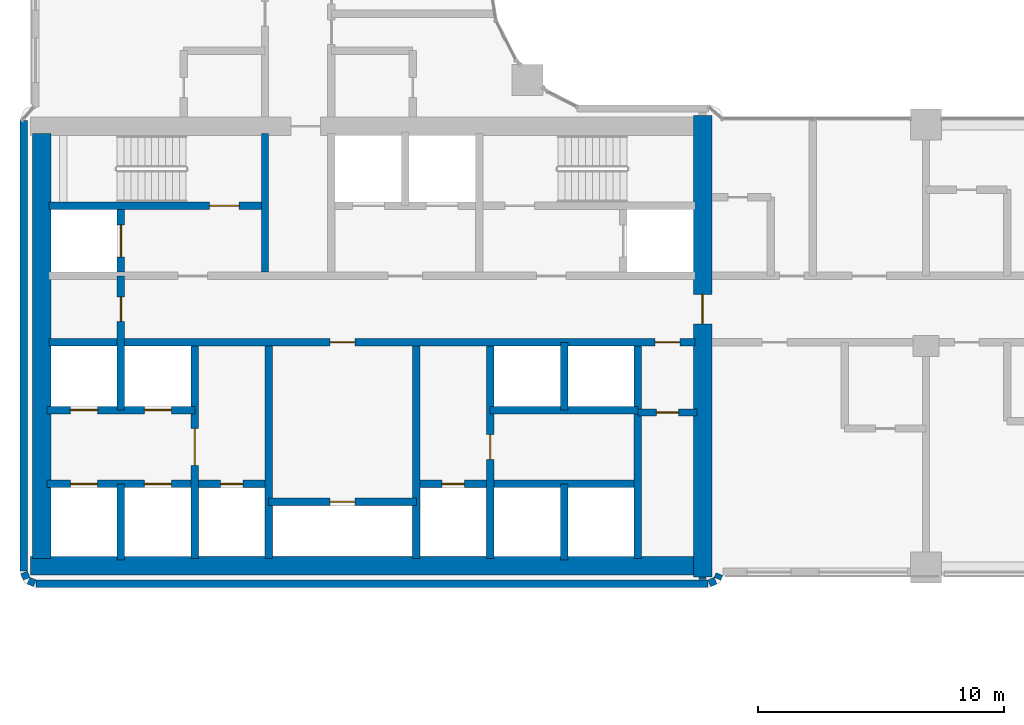
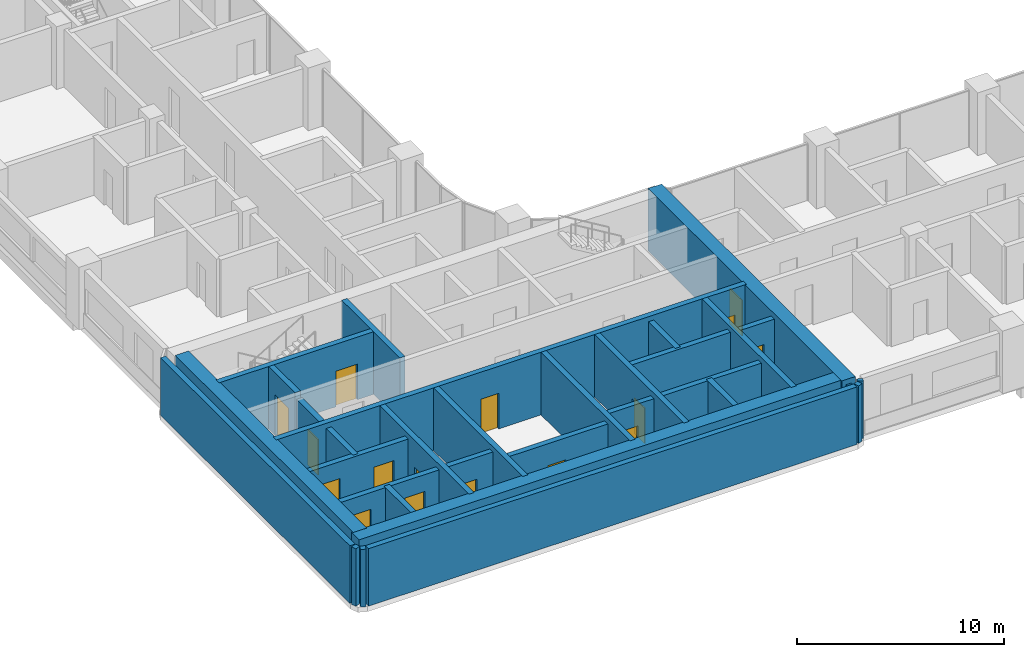
# One storey, part 18 of 33: 29 walls, 16 doors, 16 openings.
"""IFC4 building model written with IfcOpenShell, lengths in metres."""

from ifc_helpers import new_model, si_unit, direction, frame, frame_2d, origin, place, context, subcontext, project, spatial, rectangle, extrude, material, layer, layer_set, type_object, element, fill, save


model = new_model("IFC4")

# Units and contexts
model_context = context("Model", 3, precision=1e-05, world=origin(), true_north=direction((0.0, 1.0)))
body_context = subcontext(model_context, "Body", "Model", "MODEL_VIEW")
ifc_project = project(units=[si_unit("LENGTHUNIT", "METRE"), si_unit("AREAUNIT", "SQUARE_METRE"), si_unit("VOLUMEUNIT", "CUBIC_METRE"), si_unit("PLANEANGLEUNIT", "RADIAN"), si_unit("MASSUNIT", "GRAM", prefix="KILO")], contexts=[model_context])

# Site, building, storey
site_placement = place(None, origin())
site = spatial("IfcSite", under=ifc_project, at=site_placement, CompositionType="ELEMENT")
building_placement = place(site_placement, origin())
building = spatial("IfcBuilding", under=site, at=building_placement, Name="Ogive Portal Towers", CompositionType="ELEMENT")
storey_placement = place(building_placement, frame((0.0, 0.0, 101.89990234375)))
storey = spatial("IfcBuildingStorey", under=building, at=storey_placement, Name="L24", CompositionType="ELEMENT", Elevation=101.89990234375)

# Wall, opening, door
ifc_material_1 = material(Name="Concrete C60/75", Category="concrete")
ifc_layer_1 = layer(ifc_material_1, 0.300048828125)
ifc_layer_set_1 = layer_set([ifc_layer_1], Name="CORE WALL 300 C60")
wall_type_1 = type_object("IfcWallType", Name="CORE WALL 300 C60", PredefinedType="SHEAR", material=ifc_layer_set_1)
wall_1_placement = place(storey_placement, frame((37.800048828125, 21.875, 0.0), z_axis=(0.0, 0.0, 1.0), x_axis=(0.0, 1.0, 0.0)))
wall_1 = element("IfcWall", 1, at=wall_1_placement, inside=storey, type_object=wall_type_1, Name="Core wall X1 L24", PredefinedType="SHEAR", context=body_context, shape_type="SweptSolid", body=[
    extrude(rectangle(XDim=8.625, YDim=0.300048828125, at=frame_2d((4.3125, 0.0))), origin(), (0.0, 0.0, 1.0), 3.7001953125),
])
opening_1_placement = place(wall_1_placement, frame((3.77490234375, 0.0, 0.0)))
opening_1 = element("IfcOpeningElement", 2, at=opening_1_placement, cuts=wall_1, Name="Opening D08-001", PredefinedType="OPENING", context=body_context, shape_type="SweptSolid", body=[
    extrude(rectangle(XDim=1.5, YDim=2.10009765625, at=frame_2d((0.75, 1.050048828125))), frame((0.0, 0.16015625, 0.0), z_axis=(0.0, -1.0, 0.0), x_axis=(1.0, 0.0, 0.0)), (0.0, 0.0, 1.0), 0.320068359375),
])
ifc_material_2 = material(Name="Steel fire door", Category="steel")
door_type_1 = type_object("IfcDoorType", Name="DT-SWING-1500x2100-FD90S", OperationType="SINGLE_SWING_LEFT", PredefinedType="DOOR", material=ifc_material_2)
door_1_placement = place(opening_1_placement, origin())
door_1 = element("IfcDoor", 3, at=door_1_placement, inside=storey, type_object=door_type_1, Name="Door D08-001", OperationType="SINGLE_SWING_LEFT", OverallHeight=2.10009765625, OverallWidth=1.5, PredefinedType="DOOR", context=body_context, shape_type="SweptSolid", body=[
    extrude(rectangle(XDim=1.5, YDim=2.10009765625, at=frame_2d((0.75, 1.050048828125))), frame((0.0, 0.02490234375, 0.0), z_axis=(0.0, -1.0, 0.0), x_axis=(1.0, 0.0, 0.0)), (0.0, 0.0, 1.0), 0.050048828125),
])
fill(opening_1, door_1)

# Walls
for number, where, z_axis, x_axis, name in (
    (4, (40.800048828125, 21.875, 0.0), (0.0, 0.0, 1.0), (0.0, 1.0, 0.0), "Core wall X2 L24"),
    (5, (46.800048828125, 21.875, 0.0), (0.0, 0.0, 1.0), (0.0, 1.0, 0.0), "Core wall X3 L24"),
):
    element("IfcWall", number, at=place(storey_placement, frame(where, z_axis=z_axis, x_axis=x_axis)), inside=storey, type_object=wall_type_1, Name=name, PredefinedType="SHEAR", context=body_context, shape_type="SweptSolid", body=[
        extrude(rectangle(XDim=8.625, YDim=0.300048828125, at=frame_2d((4.3125, 0.0))), origin(), (0.0, 0.0, 1.0), 3.7001953125),
    ])

# Wall, opening, door
wall_2_placement = place(storey_placement, frame((49.800048828125, 21.875, 0.0), z_axis=(0.0, 0.0, 1.0), x_axis=(0.0, 1.0, 0.0)))
wall_2 = element("IfcWall", 6, at=wall_2_placement, inside=storey, type_object=wall_type_1, Name="Core wall X4 L24", PredefinedType="SHEAR", context=body_context, shape_type="SweptSolid", body=[
    extrude(rectangle(XDim=8.625, YDim=0.300048828125, at=frame_2d((4.3125, 0.0))), origin(), (0.0, 0.0, 1.0), 3.7001953125),
])
opening_2_placement = place(wall_2_placement, frame((4.02490234375, 0.0, 0.0)))
opening_2 = element("IfcOpeningElement", 7, at=opening_2_placement, cuts=wall_2, Name="Opening D08-023", PredefinedType="OPENING", context=body_context, shape_type="SweptSolid", body=[
    extrude(rectangle(XDim=1.0, YDim=2.10009765625, at=frame_2d((0.5, 1.050048828125))), frame((0.0, 0.16015625, 0.0), z_axis=(0.0, -1.0, 0.0), x_axis=(1.0, 0.0, 0.0)), (0.0, 0.0, 1.0), 0.320068359375),
])
door_type_2 = type_object("IfcDoorType", Name="DT-SWING-1000x2100-FD90S", OperationType="SINGLE_SWING_LEFT", PredefinedType="DOOR", material=ifc_material_2)
door_2_placement = place(opening_2_placement, origin())
door_2 = element("IfcDoor", 8, at=door_2_placement, inside=storey, type_object=door_type_2, Name="Door D08-023", OperationType="SINGLE_SWING_LEFT", OverallHeight=2.10009765625, OverallWidth=1.0, PredefinedType="DOOR", context=body_context, shape_type="SweptSolid", body=[
    extrude(rectangle(XDim=1.0, YDim=2.10009765625, at=frame_2d((0.5, 1.050048828125))), frame((0.0, 0.02490234375, 0.0), z_axis=(0.0, -1.0, 0.0), x_axis=(1.0, 0.0, 0.0)), (0.0, 0.0, 1.0), 0.050048828125),
])
fill(opening_2, door_2)

# Wall
wall_3_placement = place(storey_placement, frame((55.800048828125, 21.875, 0.0), z_axis=(0.0, 0.0, 1.0), x_axis=(0.0, 1.0, 0.0)))
element("IfcWall", 9, at=wall_3_placement, inside=storey, type_object=wall_type_1, Name="Core wall X5 L24", PredefinedType="SHEAR", context=body_context, shape_type="SweptSolid", body=[
    extrude(rectangle(XDim=8.625, YDim=0.300048828125, at=frame_2d((4.3125, 0.0))), origin(), (0.0, 0.0, 1.0), 3.7001953125),
])

# Wall, openings, doors
wall_4_placement = place(storey_placement, frame((31.875, 30.64990234375, 0.0), z_axis=(0.0, 0.0, 1.0), x_axis=(1.0, 0.0, 0.0)))
wall_4 = element("IfcWall", 10, at=wall_4_placement, inside=storey, type_object=wall_type_1, Name="Core wall Y1 L24", PredefinedType="SHEAR", context=body_context, shape_type="SweptSolid", body=[
    extrude(rectangle(XDim=26.25, YDim=0.300048828125, at=frame_2d((13.125, 0.0))), origin(), (0.0, 0.0, 1.0), 3.7001953125),
])
opening_3_placement = place(wall_4_placement, frame((24.625, 0.0, 0.0)))
opening_3 = element("IfcOpeningElement", 11, at=opening_3_placement, cuts=wall_4, Name="Opening D08-009", PredefinedType="OPENING", context=body_context, shape_type="SweptSolid", body=[
    extrude(rectangle(XDim=1.0, YDim=2.10009765625, at=frame_2d((0.5, 1.050048828125))), frame((0.0, 0.16015625, 0.0), z_axis=(0.0, -1.0, 0.0), x_axis=(1.0, 0.0, 0.0)), (0.0, 0.0, 1.0), 0.320068359375),
])
opening_4_placement = place(wall_4_placement, frame((11.425048828125, 0.0, 0.0)))
opening_4 = element("IfcOpeningElement", 12, at=opening_4_placement, cuts=wall_4, Name="Opening D08-021", PredefinedType="OPENING", context=body_context, shape_type="SweptSolid", body=[
    extrude(rectangle(XDim=1.0, YDim=2.10009765625, at=frame_2d((0.5, 1.050048828125))), frame((0.0, 0.16015625, 0.0), z_axis=(0.0, -1.0, 0.0), x_axis=(1.0, 0.0, 0.0)), (0.0, 0.0, 1.0), 0.320068359375),
])
door_3_placement = place(opening_3_placement, origin())
door_3 = element("IfcDoor", 13, at=door_3_placement, inside=storey, type_object=door_type_2, Name="Door D08-009", OperationType="SINGLE_SWING_LEFT", OverallHeight=2.10009765625, OverallWidth=1.0, PredefinedType="DOOR", context=body_context, shape_type="SweptSolid", body=[
    extrude(rectangle(XDim=1.0, YDim=2.10009765625, at=frame_2d((0.5, 1.050048828125))), frame((0.0, 0.02490234375, 0.0), z_axis=(0.0, -1.0, 0.0), x_axis=(1.0, 0.0, 0.0)), (0.0, 0.0, 1.0), 0.050048828125),
])
fill(opening_3, door_3)
door_4_placement = place(opening_4_placement, origin())
door_4 = element("IfcDoor", 14, at=door_4_placement, inside=storey, type_object=door_type_2, Name="Door D08-021", OperationType="SINGLE_SWING_LEFT", OverallHeight=2.10009765625, OverallWidth=1.0, PredefinedType="DOOR", context=body_context, shape_type="SweptSolid", body=[
    extrude(rectangle(XDim=1.0, YDim=2.10009765625, at=frame_2d((0.5, 1.050048828125))), frame((0.0, 0.02490234375, 0.0), z_axis=(0.0, -1.0, 0.0), x_axis=(1.0, 0.0, 0.0)), (0.0, 0.0, 1.0), 0.050048828125),
])
fill(opening_4, door_4)

# Wall, opening, door
wall_5_placement = place(storey_placement, frame((31.875, 36.199951171875, 0.0), z_axis=(0.0, 0.0, 1.0), x_axis=(1.0, 0.0, 0.0)))
wall_5 = element("IfcWall", 15, at=wall_5_placement, inside=storey, type_object=wall_type_1, Name="Core wall Y3a L24", PredefinedType="SHEAR", context=body_context, shape_type="SweptSolid", body=[
    extrude(rectangle(XDim=8.625, YDim=0.300048828125, at=frame_2d((4.3125, 0.0))), origin(), (0.0, 0.0, 1.0), 3.7001953125),
])
opening_5_placement = place(wall_5_placement, frame((6.52490234375, 0.0, 0.0)))
opening_5 = element("IfcOpeningElement", 16, at=opening_5_placement, cuts=wall_5, Name="Opening D08-005", PredefinedType="OPENING", context=body_context, shape_type="SweptSolid", body=[
    extrude(rectangle(XDim=1.199951171875, YDim=2.10009765625, at=frame_2d((0.60009765625, 1.050048828125))), frame((0.0, 0.16015625, 0.0), z_axis=(0.0, -1.0, 0.0), x_axis=(1.0, 0.0, 0.0)), (0.0, 0.0, 1.0), 0.320068359375),
])
door_type_3 = type_object("IfcDoorType", Name="DT-SWING-1200x2100-FD90S", OperationType="SINGLE_SWING_LEFT", PredefinedType="DOOR", material=ifc_material_2)
door_5_placement = place(opening_5_placement, origin())
door_5 = element("IfcDoor", 17, at=door_5_placement, inside=storey, type_object=door_type_3, Name="Door D08-005", OperationType="SINGLE_SWING_RIGHT", OverallHeight=2.10009765625, OverallWidth=1.199951171875, PredefinedType="DOOR", context=body_context, shape_type="SweptSolid", body=[
    extrude(rectangle(XDim=1.199951171875, YDim=2.10009765625, at=frame_2d((0.60009765625, 1.050048828125))), frame((0.0, 0.02490234375, 0.0), z_axis=(0.0, -1.0, 0.0), x_axis=(1.0, 0.0, 0.0)), (0.0, 0.0, 1.0), 0.050048828125),
])
fill(opening_5, door_5)

# Wall
wall_6_placement = place(storey_placement, frame((40.64990234375, 33.5, 0.0), z_axis=(0.0, 0.0, 1.0), x_axis=(0.0, 1.0, 0.0)))
element("IfcWall", 18, at=wall_6_placement, inside=storey, type_object=wall_type_1, Name="Core wall X6 L24", PredefinedType="SHEAR", context=body_context, shape_type="SweptSolid", body=[
    extrude(rectangle(XDim=5.625, YDim=0.300048828125, at=frame_2d((2.8125, 0.0))), origin(), (0.0, 0.0, 1.0), 3.7001953125),
])

# Wall, opening, door
wall_7_placement = place(storey_placement, frame((34.800048828125, 33.5, 0.0), z_axis=(0.0, 0.0, 1.0), x_axis=(0.0, 1.0, 0.0)))
wall_7 = element("IfcWall", 19, at=wall_7_placement, inside=storey, type_object=wall_type_1, Name="Core wall X8 L24", PredefinedType="SHEAR", context=body_context, shape_type="SweptSolid", body=[
    extrude(rectangle(XDim=2.550048828125, YDim=0.300048828125, at=frame_2d((1.27490234375, 0.0))), origin(), (0.0, 0.0, 1.0), 3.7001953125),
])
opening_6_placement = place(wall_7_placement, frame((0.625, 0.0, 0.0)))
opening_6 = element("IfcOpeningElement", 20, at=opening_6_placement, cuts=wall_7, Name="Opening D08-019", PredefinedType="OPENING", context=body_context, shape_type="SweptSolid", body=[
    extrude(rectangle(XDim=1.300048828125, YDim=2.39990234375, at=frame_2d((0.64990234375, 1.199951171875))), frame((0.0, 0.16015625, 0.0), z_axis=(0.0, -1.0, 0.0), x_axis=(1.0, 0.0, 0.0)), (0.0, 0.0, 1.0), 0.320068359375),
])
ifc_material_3 = material(Name="Stainless steel", Category="steel")
door_type_4 = type_object("IfcDoorType", Name="DT-LD-1300x2400", OperationType="SLIDING_TO_LEFT", PredefinedType="DOOR", material=ifc_material_3)
door_6_placement = place(opening_6_placement, origin())
door_6 = element("IfcDoor", 21, at=door_6_placement, inside=storey, type_object=door_type_4, Name="Door D08-019", OperationType="SLIDING_TO_LEFT", OverallHeight=2.39990234375, OverallWidth=1.300048828125, PredefinedType="DOOR", context=body_context, shape_type="SweptSolid", body=[
    extrude(rectangle(XDim=1.300048828125, YDim=2.39990234375, at=frame_2d((0.64990234375, 1.199951171875))), frame((0.0, 0.02490234375, 0.0), z_axis=(0.0, -1.0, 0.0), x_axis=(1.0, 0.0, 0.0)), (0.0, 0.0, 1.0), 0.050048828125),
])
fill(opening_6, door_6)

# Walls
ifc_layer_2 = layer(ifc_material_1, 0.75)
ifc_layer_set_2 = layer_set([ifc_layer_2], Name="CORE WALL 750 C60")
wall_type_2 = type_object("IfcWallType", Name="CORE WALL 750 C60", PredefinedType="SHEAR", material=ifc_layer_set_2)
wall_8_placement = place(storey_placement, frame((31.574951171875, 21.875, 0.0), z_axis=(0.0, 0.0, 1.0), x_axis=(0.0, 1.0, 0.0)))
element("IfcWall", 22, at=wall_8_placement, inside=storey, type_object=wall_type_2, Name="Core wall W L24", PredefinedType="SHEAR", context=body_context, shape_type="SweptSolid", body=[
    extrude(rectangle(XDim=17.25, YDim=0.75, at=frame_2d((8.625, 0.0))), origin(), (0.0, 0.0, 1.0), 3.7001953125),
])
wall_9_placement = place(storey_placement, frame((31.125, 21.574951171875, 0.0), z_axis=(0.0, 0.0, 1.0), x_axis=(1.0, 0.0, 0.0)))
element("IfcWall", 23, at=wall_9_placement, inside=storey, type_object=wall_type_2, Name="Core wall S L24", PredefinedType="SHEAR", context=body_context, shape_type="SweptSolid", body=[
    extrude(rectangle(XDim=27.0, YDim=0.75, at=frame_2d((13.5, 0.0))), origin(), (0.0, 0.0, 1.0), 3.7001953125),
])

# Wall, opening, door
wall_10_placement = place(storey_placement, frame((58.425048828125, 21.125, 0.0), z_axis=(0.0, 0.0, 1.0), x_axis=(0.0, 1.0, 0.0)))
wall_10 = element("IfcWall", 24, at=wall_10_placement, inside=storey, type_object=wall_type_2, Name="Core wall E L24", PredefinedType="SHEAR", context=body_context, shape_type="SweptSolid", body=[
    extrude(rectangle(XDim=18.75, YDim=0.75, at=frame_2d((9.375, 0.0))), origin(), (0.0, 0.0, 1.0), 3.7001953125),
])
opening_7_placement = place(wall_10_placement, frame((10.27490234375, 0.0, 0.0)))
opening_7 = element("IfcOpeningElement", 25, at=opening_7_placement, cuts=wall_10, Name="Opening D08-011", PredefinedType="OPENING", context=body_context, shape_type="SweptSolid", body=[
    extrude(rectangle(XDim=1.199951171875, YDim=2.10009765625, at=frame_2d((0.60009765625, 1.050048828125))), frame((0.0, 0.385009765625, 0.0), z_axis=(0.0, -1.0, 0.0), x_axis=(1.0, 0.0, 0.0)), (0.0, 0.0, 1.0), 0.77001953125),
])
door_7_placement = place(opening_7_placement, origin())
door_7 = element("IfcDoor", 26, at=door_7_placement, inside=storey, type_object=door_type_3, Name="Door D08-011", OperationType="SINGLE_SWING_LEFT", OverallHeight=2.10009765625, OverallWidth=1.199951171875, PredefinedType="DOOR", context=body_context, shape_type="SweptSolid", body=[
    extrude(rectangle(XDim=1.199951171875, YDim=2.10009765625, at=frame_2d((0.60009765625, 1.050048828125))), frame((0.0, 0.02490234375, 0.0), z_axis=(0.0, -1.0, 0.0), x_axis=(1.0, 0.0, 0.0)), (0.0, 0.0, 1.0), 0.050048828125),
])
fill(opening_7, door_7)

# Walls
ifc_material_4 = material(Name="Limestone cladding on lightweight block wall", Category="masonry")
ifc_layer_3 = layer(ifc_material_4, 0.300048828125)
ifc_layer_set_3 = layer_set([ifc_layer_3], Name="EXTERNAL WALL 300 STONE")
wall_type_3 = type_object("IfcWallType", Name="EXTERNAL WALL 300 STONE", PredefinedType="SOLIDWALL", material=ifc_layer_set_3)
wall_11_placement = place(storey_placement, frame((30.85009765625, 39.669921875, 0.0), z_axis=(0.0, 0.0, 1.0), x_axis=(0.0, -1.0, 0.0)))
element("IfcWall", 27, at=wall_11_placement, inside=storey, type_object=wall_type_3, Name="A:L24:f14:r0:wall", PredefinedType="SOLIDWALL", context=body_context, shape_type="SweptSolid", body=[
    extrude(rectangle(XDim=18.310302734375, YDim=0.300048828125, at=frame_2d((9.1552734375, 0.0))), origin(), (0.0, 0.0, 1.0), 3.400146484375),
])
for number, where, z_axis, x_axis, name in (
    (28, (30.861328125, 21.30224609375, 0.0), (0.0, 0.0, 1.0), (0.38297812142, -0.923757413239, 0.0), "A:L24:f15:r0:wall"),
    (29, (31.0478515625, 20.966796875, 0.0), (0.0, 0.0, 1.0), (0.923757413239, -0.38297812142, 0.0), "A:L24:f16:r0:wall"),
):
    element("IfcWall", number, at=place(storey_placement, frame(where, z_axis=z_axis, x_axis=x_axis)), inside=storey, type_object=wall_type_3, Name=name, PredefinedType="SOLIDWALL", context=body_context, shape_type="SweptSolid", body=[
        extrude(rectangle(XDim=0.275390625, YDim=0.300048828125, at=frame_2d((0.1376953125, 0.0))), origin(), (0.0, 0.0, 1.0), 3.400146484375),
    ])
wall_12_placement = place(storey_placement, frame((31.359619140625, 20.85009765625, 0.0), z_axis=(0.0, 0.0, 1.0), x_axis=(1.0, 0.0, 0.0)))
element("IfcWall", 30, at=wall_12_placement, inside=storey, type_object=wall_type_3, Name="A:L24:f17:r0:wall", PredefinedType="SOLIDWALL", context=body_context, shape_type="SweptSolid", body=[
    extrude(rectangle(XDim=27.28076171875, YDim=0.300048828125, at=frame_2d((13.640380859375, 0.0))), origin(), (0.0, 0.0, 1.0), 3.400146484375),
])
wall_13_placement = place(storey_placement, frame((58.69775390625, 20.861328125, 0.0), z_axis=(0.0, 0.0, 1.0), x_axis=(0.923757413239, 0.38297812142, 0.0)))
element("IfcWall", 31, at=wall_13_placement, inside=storey, type_object=wall_type_3, Name="A:L24:f18:r0:wall", PredefinedType="SOLIDWALL", context=body_context, shape_type="SweptSolid", body=[
    extrude(rectangle(XDim=0.275390625, YDim=0.300048828125, at=frame_2d((0.1376953125, 0.0))), origin(), (0.0, 0.0, 1.0), 3.400146484375),
])
wall_14_placement = place(storey_placement, frame((59.033203125, 21.0478515625, 0.0), z_axis=(0.0, 0.0, 1.0), x_axis=(0.383262727373, 0.923639367831, 0.0)))
element("IfcWall", 32, at=wall_14_placement, inside=storey, type_object=wall_type_3, Name="A:L24:f19:r0:wall", PredefinedType="SOLIDWALL", context=body_context, shape_type="SweptSolid", body=[
    extrude(rectangle(XDim=0.205078125, YDim=0.300048828125, at=frame_2d((0.1025390625, 0.0))), origin(), (0.0, 0.0, 1.0), 3.400146484375),
])

# Wall, opening, door
ifc_material_5 = material(Name="Gypsum board partition on steel studs", Category="steel")
ifc_layer_4 = layer(ifc_material_5, 0.300048828125)
ifc_layer_set_4 = layer_set([ifc_layer_4], Name="WT-PART-300")
wall_type_4 = type_object("IfcWallType", Name="WT-PART-300", PredefinedType="PARTITIONING", material=ifc_layer_set_4)
wall_15_placement = place(storey_placement, frame((40.800048828125, 24.173095703125, 0.0), z_axis=(0.0, 0.0, 1.0), x_axis=(1.0, 0.0, 0.0)))
wall_15 = element("IfcWall", 33, at=wall_15_placement, inside=storey, type_object=wall_type_4, Name="Wall pw:001:L24", PredefinedType="PARTITIONING", context=body_context, shape_type="SweptSolid", body=[
    extrude(rectangle(XDim=6.0, YDim=0.300048828125, at=frame_2d((3.0, 0.0))), origin(), (0.0, 0.0, 1.0), 3.400146484375),
])
opening_8_placement = place(wall_15_placement, frame((2.5, 0.0, 0.0)))
opening_8 = element("IfcOpeningElement", 34, at=opening_8_placement, cuts=wall_15, Name="Opening D08-022", PredefinedType="OPENING", context=body_context, shape_type="SweptSolid", body=[
    extrude(rectangle(XDim=1.0, YDim=2.10009765625, at=frame_2d((0.5, 1.050048828125))), frame((0.0, 0.16015625, 0.0), z_axis=(0.0, -1.0, 0.0), x_axis=(1.0, 0.0, 0.0)), (0.0, 0.0, 1.0), 0.320068359375),
])
door_type_5 = type_object("IfcDoorType", Name="DT-SWING-1000x2100-FD60S", OperationType="SINGLE_SWING_LEFT", PredefinedType="DOOR", material=ifc_material_2)
door_8_placement = place(opening_8_placement, origin())
door_8 = element("IfcDoor", 35, at=door_8_placement, inside=storey, type_object=door_type_5, Name="Riser access door D08-022", OperationType="SINGLE_SWING_RIGHT", OverallHeight=2.10009765625, OverallWidth=1.0, PredefinedType="DOOR", context=body_context, shape_type="SweptSolid", body=[
    extrude(rectangle(XDim=1.0, YDim=2.10009765625, at=frame_2d((0.5, 1.050048828125))), frame((0.0, 0.02490234375, 0.0), z_axis=(0.0, -1.0, 0.0), x_axis=(1.0, 0.0, 0.0)), (0.0, 0.0, 1.0), 0.050048828125),
])
fill(opening_8, door_8)

wall_16_placement = place(storey_placement, frame((55.800048828125, 27.800048828125, 0.0), z_axis=(0.0, 0.0, 1.0), x_axis=(1.0, 0.0, 0.0)))
wall_16 = element("IfcWall", 36, at=wall_16_placement, inside=storey, type_object=wall_type_4, Name="Wall pw:004:L24", PredefinedType="PARTITIONING", context=body_context, shape_type="SweptSolid", body=[
    extrude(rectangle(XDim=2.39990234375, YDim=0.300048828125, at=frame_2d((1.199951171875, 0.0))), origin(), (0.0, 0.0, 1.0), 3.400146484375),
])
opening_9_placement = place(wall_16_placement, frame((0.75, 0.0, 0.0)))
opening_9 = element("IfcOpeningElement", 37, at=opening_9_placement, cuts=wall_16, Name="Opening D08-010", PredefinedType="OPENING", context=body_context, shape_type="SweptSolid", body=[
    extrude(rectangle(XDim=0.89990234375, YDim=2.10009765625, at=frame_2d((0.449951171875, 1.050048828125))), frame((0.0, 0.16015625, 0.0), z_axis=(0.0, -1.0, 0.0), x_axis=(1.0, 0.0, 0.0)), (0.0, 0.0, 1.0), 0.320068359375),
])
door_type_6 = type_object("IfcDoorType", Name="DT-SWING-900x2100-FD60S", OperationType="SINGLE_SWING_LEFT", PredefinedType="DOOR", material=ifc_material_2)
door_9_placement = place(opening_9_placement, origin())
door_9 = element("IfcDoor", 38, at=door_9_placement, inside=storey, type_object=door_type_6, Name="Door D08-010", OperationType="SINGLE_SWING_RIGHT", OverallHeight=2.10009765625, OverallWidth=0.89990234375, PredefinedType="DOOR", context=body_context, shape_type="SweptSolid", body=[
    extrude(rectangle(XDim=0.89990234375, YDim=2.10009765625, at=frame_2d((0.449951171875, 1.050048828125))), frame((0.0, 0.02490234375, 0.0), z_axis=(0.0, -1.0, 0.0), x_axis=(1.0, 0.0, 0.0)), (0.0, 0.0, 1.0), 0.050048828125),
])
fill(opening_9, door_9)

# Wall
ifc_layer_5 = layer(ifc_material_5, 0.300048828125)
ifc_layer_set_5 = layer_set([ifc_layer_5], Name="WT-PART-300-EI 120")
wall_type_5 = type_object("IfcWallType", Name="WT-PART-300-EI 120", PredefinedType="PARTITIONING", material=ifc_layer_set_5)
wall_17_placement = place(storey_placement, frame((58.425048828125, 21.125, 0.0), z_axis=(0.0, 0.0, 1.0), x_axis=(0.0, -1.0, 0.0)))
element("IfcWall", 39, at=wall_17_placement, inside=storey, type_object=wall_type_5, Name="Wall L24:wc01", PredefinedType="PARTITIONING", context=body_context, shape_type="SweptSolid", body=[
    extrude(rectangle(XDim=0.114990234375, YDim=0.300048828125, at=frame_2d((0.0576171875, 0.0))), origin(), (0.0, 0.0, 1.0), 3.400146484375),
])

# Wall, openings, doors
ifc_material_6 = material(Name="Concrete C40/50", Category="concrete")
ifc_layer_6 = layer(ifc_material_6, 0.300048828125)
ifc_layer_set_6 = layer_set([ifc_layer_6], Name="WT-SHAFT-300")
wall_type_6 = type_object("IfcWallType", Name="WT-SHAFT-300", PredefinedType="SOLIDWALL", material=ifc_layer_set_6)
wall_18_placement = place(storey_placement, frame((31.800048828125, 24.89990234375, 0.0), z_axis=(0.0, 0.0, 1.0), x_axis=(1.0, 0.0, 0.0)))
wall_18 = element("IfcWall", 40, at=wall_18_placement, inside=storey, type_object=wall_type_6, Name="Wall pw:002:L24", PredefinedType="SOLIDWALL", context=body_context, shape_type="SweptSolid", body=[
    extrude(rectangle(XDim=9.0, YDim=0.300048828125, at=frame_2d((4.5, 0.0))), origin(), (0.0, 0.0, 1.0), 3.400146484375),
])
opening_10_placement = place(wall_18_placement, frame((7.050048828125, 0.0, 0.0)))
opening_10 = element("IfcOpeningElement", 41, at=opening_10_placement, cuts=wall_18, Name="Opening D08-007", PredefinedType="OPENING", context=body_context, shape_type="SweptSolid", body=[
    extrude(rectangle(XDim=0.89990234375, YDim=2.10009765625, at=frame_2d((0.449951171875, 1.050048828125))), frame((0.0, 0.16015625, 0.0), z_axis=(0.0, -1.0, 0.0), x_axis=(1.0, 0.0, 0.0)), (0.0, 0.0, 1.0), 0.320068359375),
])
opening_11_placement = place(wall_18_placement, frame((0.949951171875, 0.0, 0.0)))
opening_11 = element("IfcOpeningElement", 42, at=opening_11_placement, cuts=wall_18, Name="Opening D08-013", PredefinedType="OPENING", context=body_context, shape_type="SweptSolid", body=[
    extrude(rectangle(XDim=1.10009765625, YDim=2.39990234375, at=frame_2d((0.550048828125, 1.199951171875))), frame((0.0, 0.16015625, 0.0), z_axis=(0.0, -1.0, 0.0), x_axis=(1.0, 0.0, 0.0)), (0.0, 0.0, 1.0), 0.320068359375),
])
opening_12_placement = place(wall_18_placement, frame((3.949951171875, 0.0, 0.0)))
opening_12 = element("IfcOpeningElement", 43, at=opening_12_placement, cuts=wall_18, Name="Opening D08-014", PredefinedType="OPENING", context=body_context, shape_type="SweptSolid", body=[
    extrude(rectangle(XDim=1.10009765625, YDim=2.39990234375, at=frame_2d((0.550048828125, 1.199951171875))), frame((0.0, 0.16015625, 0.0), z_axis=(0.0, -1.0, 0.0), x_axis=(1.0, 0.0, 0.0)), (0.0, 0.0, 1.0), 0.320068359375),
])
door_type_7 = type_object("IfcDoorType", Name="DT-LD-1100x2400", OperationType="SLIDING_TO_LEFT", PredefinedType="DOOR", material=ifc_material_3)
door_10_placement = place(opening_11_placement, origin())
door_10 = element("IfcDoor", 44, at=door_10_placement, inside=storey, type_object=door_type_7, Name="Door D08-013", OperationType="SLIDING_TO_LEFT", OverallHeight=2.39990234375, OverallWidth=1.10009765625, PredefinedType="DOOR", context=body_context, shape_type="SweptSolid", body=[
    extrude(rectangle(XDim=1.10009765625, YDim=2.39990234375, at=frame_2d((0.550048828125, 1.199951171875))), frame((0.0, 0.02490234375, 0.0), z_axis=(0.0, -1.0, 0.0), x_axis=(1.0, 0.0, 0.0)), (0.0, 0.0, 1.0), 0.050048828125),
])
fill(opening_11, door_10)
door_11_placement = place(opening_12_placement, origin())
door_11 = element("IfcDoor", 45, at=door_11_placement, inside=storey, type_object=door_type_7, Name="Door D08-014", OperationType="SLIDING_TO_LEFT", OverallHeight=2.39990234375, OverallWidth=1.10009765625, PredefinedType="DOOR", context=body_context, shape_type="SweptSolid", body=[
    extrude(rectangle(XDim=1.10009765625, YDim=2.39990234375, at=frame_2d((0.550048828125, 1.199951171875))), frame((0.0, 0.02490234375, 0.0), z_axis=(0.0, -1.0, 0.0), x_axis=(1.0, 0.0, 0.0)), (0.0, 0.0, 1.0), 0.050048828125),
])
fill(opening_12, door_11)
door_type_8 = type_object("IfcDoorType", Name="DT-SWING-900x2100-FD90S", OperationType="SINGLE_SWING_LEFT", PredefinedType="DOOR", material=ifc_material_2)
door_12_placement = place(opening_10_placement, origin())
door_12 = element("IfcDoor", 46, at=door_12_placement, inside=storey, type_object=door_type_8, Name="Riser access door D08-007", OperationType="SINGLE_SWING_LEFT", OverallHeight=2.10009765625, OverallWidth=0.89990234375, PredefinedType="DOOR", context=body_context, shape_type="SweptSolid", body=[
    extrude(rectangle(XDim=0.89990234375, YDim=2.10009765625, at=frame_2d((0.449951171875, 1.050048828125))), frame((0.0, 0.02490234375, 0.0), z_axis=(0.0, -1.0, 0.0), x_axis=(1.0, 0.0, 0.0)), (0.0, 0.0, 1.0), 0.050048828125),
])
fill(opening_10, door_12)

# Wall, opening, door
wall_19_placement = place(storey_placement, frame((46.800048828125, 24.89990234375, 0.0), z_axis=(0.0, 0.0, 1.0), x_axis=(1.0, 0.0, 0.0)))
wall_19 = element("IfcWall", 47, at=wall_19_placement, inside=storey, type_object=wall_type_6, Name="Wall pw:003:L24", PredefinedType="SOLIDWALL", context=body_context, shape_type="SweptSolid", body=[
    extrude(rectangle(XDim=9.0, YDim=0.300048828125, at=frame_2d((4.5, 0.0))), origin(), (0.0, 0.0, 1.0), 3.400146484375),
])
opening_13_placement = place(wall_19_placement, frame((1.050048828125, 0.0, 0.0)))
opening_13 = element("IfcOpeningElement", 48, at=opening_13_placement, cuts=wall_19, Name="Opening D08-008", PredefinedType="OPENING", context=body_context, shape_type="SweptSolid", body=[
    extrude(rectangle(XDim=0.89990234375, YDim=2.10009765625, at=frame_2d((0.449951171875, 1.050048828125))), frame((0.0, 0.16015625, 0.0), z_axis=(0.0, -1.0, 0.0), x_axis=(1.0, 0.0, 0.0)), (0.0, 0.0, 1.0), 0.320068359375),
])
door_13_placement = place(opening_13_placement, origin())
door_13 = element("IfcDoor", 49, at=door_13_placement, inside=storey, type_object=door_type_8, Name="Riser access door D08-008", OperationType="SINGLE_SWING_RIGHT", OverallHeight=2.10009765625, OverallWidth=0.89990234375, PredefinedType="DOOR", context=body_context, shape_type="SweptSolid", body=[
    extrude(rectangle(XDim=0.89990234375, YDim=2.10009765625, at=frame_2d((0.449951171875, 1.050048828125))), frame((0.0, 0.02490234375, 0.0), z_axis=(0.0, -1.0, 0.0), x_axis=(1.0, 0.0, 0.0)), (0.0, 0.0, 1.0), 0.050048828125),
])
fill(opening_13, door_13)

# Wall, openings, doors
wall_20_placement = place(storey_placement, frame((31.800048828125, 27.89990234375, 0.0), z_axis=(0.0, 0.0, 1.0), x_axis=(1.0, 0.0, 0.0)))
wall_20 = element("IfcWall", 50, at=wall_20_placement, inside=storey, type_object=wall_type_6, Name="Wall pw:005:L24", PredefinedType="SOLIDWALL", context=body_context, shape_type="SweptSolid", body=[
    extrude(rectangle(XDim=6.0, YDim=0.300048828125, at=frame_2d((3.0, 0.0))), origin(), (0.0, 0.0, 1.0), 3.400146484375),
])
opening_14_placement = place(wall_20_placement, frame((0.949951171875, 0.0, 0.0)))
opening_14 = element("IfcOpeningElement", 51, at=opening_14_placement, cuts=wall_20, Name="Opening D08-015", PredefinedType="OPENING", context=body_context, shape_type="SweptSolid", body=[
    extrude(rectangle(XDim=1.10009765625, YDim=2.39990234375, at=frame_2d((0.550048828125, 1.199951171875))), frame((0.0, 0.16015625, 0.0), z_axis=(0.0, -1.0, 0.0), x_axis=(1.0, 0.0, 0.0)), (0.0, 0.0, 1.0), 0.320068359375),
])
opening_15_placement = place(wall_20_placement, frame((3.949951171875, 0.0, 0.0)))
opening_15 = element("IfcOpeningElement", 52, at=opening_15_placement, cuts=wall_20, Name="Opening D08-016", PredefinedType="OPENING", context=body_context, shape_type="SweptSolid", body=[
    extrude(rectangle(XDim=1.10009765625, YDim=2.39990234375, at=frame_2d((0.550048828125, 1.199951171875))), frame((0.0, 0.16015625, 0.0), z_axis=(0.0, -1.0, 0.0), x_axis=(1.0, 0.0, 0.0)), (0.0, 0.0, 1.0), 0.320068359375),
])
door_14_placement = place(opening_14_placement, origin())
door_14 = element("IfcDoor", 53, at=door_14_placement, inside=storey, type_object=door_type_7, Name="Door D08-015", OperationType="SLIDING_TO_LEFT", OverallHeight=2.39990234375, OverallWidth=1.10009765625, PredefinedType="DOOR", context=body_context, shape_type="SweptSolid", body=[
    extrude(rectangle(XDim=1.10009765625, YDim=2.39990234375, at=frame_2d((0.550048828125, 1.199951171875))), frame((0.0, 0.02490234375, 0.0), z_axis=(0.0, -1.0, 0.0), x_axis=(1.0, 0.0, 0.0)), (0.0, 0.0, 1.0), 0.050048828125),
])
fill(opening_14, door_14)
door_15_placement = place(opening_15_placement, origin())
door_15 = element("IfcDoor", 54, at=door_15_placement, inside=storey, type_object=door_type_7, Name="Door D08-016", OperationType="SLIDING_TO_LEFT", OverallHeight=2.39990234375, OverallWidth=1.10009765625, PredefinedType="DOOR", context=body_context, shape_type="SweptSolid", body=[
    extrude(rectangle(XDim=1.10009765625, YDim=2.39990234375, at=frame_2d((0.550048828125, 1.199951171875))), frame((0.0, 0.02490234375, 0.0), z_axis=(0.0, -1.0, 0.0), x_axis=(1.0, 0.0, 0.0)), (0.0, 0.0, 1.0), 0.050048828125),
])
fill(opening_15, door_15)

# Walls
wall_21_placement = place(storey_placement, frame((49.800048828125, 27.89990234375, 0.0), z_axis=(0.0, 0.0, 1.0), x_axis=(1.0, 0.0, 0.0)))
element("IfcWall", 55, at=wall_21_placement, inside=storey, type_object=wall_type_6, Name="Wall pw:006:L24", PredefinedType="SOLIDWALL", context=body_context, shape_type="SweptSolid", body=[
    extrude(rectangle(XDim=6.0, YDim=0.300048828125, at=frame_2d((3.0, 0.0))), origin(), (0.0, 0.0, 1.0), 3.400146484375),
])
wall_22_placement = place(storey_placement, frame((34.800048828125, 21.800048828125, 0.0), z_axis=(0.0, 0.0, 1.0), x_axis=(0.0, 1.0, 0.0)))
element("IfcWall", 56, at=wall_22_placement, inside=storey, type_object=wall_type_6, Name="Wall pw:007:L24", PredefinedType="SOLIDWALL", context=body_context, shape_type="SweptSolid", body=[
    extrude(rectangle(XDim=3.099853515625, YDim=0.300048828125, at=frame_2d((1.5498046875, 0.0))), origin(), (0.0, 0.0, 1.0), 3.400146484375),
])

# Wall, opening, door
wall_23_placement = place(storey_placement, frame((34.800048828125, 27.89990234375, 0.0), z_axis=(0.0, 0.0, 1.0), x_axis=(0.0, 1.0, 0.0)))
wall_23 = element("IfcWall", 57, at=wall_23_placement, inside=storey, type_object=wall_type_6, Name="Wall pw:008:L24", PredefinedType="SOLIDWALL", context=body_context, shape_type="SweptSolid", body=[
    extrude(rectangle(XDim=5.4501953125, YDim=0.300048828125, at=frame_2d((2.72509765625, 0.0))), origin(), (0.0, 0.0, 1.0), 3.400146484375),
])
opening_16_placement = place(wall_23_placement, frame((3.60009765625, 0.0, 0.0)))
opening_16 = element("IfcOpeningElement", 58, at=opening_16_placement, cuts=wall_23, Name="Opening D08-024", PredefinedType="OPENING", context=body_context, shape_type="SweptSolid", body=[
    extrude(rectangle(XDim=1.0, YDim=2.10009765625, at=frame_2d((0.5, 1.050048828125))), frame((0.0, 0.16015625, 0.0), z_axis=(0.0, -1.0, 0.0), x_axis=(1.0, 0.0, 0.0)), (0.0, 0.0, 1.0), 0.320068359375),
])
door_16_placement = place(opening_16_placement, origin())
door_16 = element("IfcDoor", 59, at=door_16_placement, inside=storey, type_object=door_type_2, Name="Door D08-024", OperationType="SINGLE_SWING_RIGHT", OverallHeight=2.10009765625, OverallWidth=1.0, PredefinedType="DOOR", context=body_context, shape_type="SweptSolid", body=[
    extrude(rectangle(XDim=1.0, YDim=2.10009765625, at=frame_2d((0.5, 1.050048828125))), frame((0.0, 0.02490234375, 0.0), z_axis=(0.0, -1.0, 0.0), x_axis=(1.0, 0.0, 0.0)), (0.0, 0.0, 1.0), 0.050048828125),
])
fill(opening_16, door_16)

# Walls
wall_24_placement = place(storey_placement, frame((52.800048828125, 21.800048828125, 0.0), z_axis=(0.0, 0.0, 1.0), x_axis=(0.0, 1.0, 0.0)))
element("IfcWall", 60, at=wall_24_placement, inside=storey, type_object=wall_type_6, Name="Wall pw:010:L24", PredefinedType="SOLIDWALL", context=body_context, shape_type="SweptSolid", body=[
    extrude(rectangle(XDim=3.099853515625, YDim=0.300048828125, at=frame_2d((1.5498046875, 0.0))), origin(), (0.0, 0.0, 1.0), 3.400146484375),
])
wall_25_placement = place(storey_placement, frame((52.800048828125, 27.89990234375, 0.0), z_axis=(0.0, 0.0, 1.0), x_axis=(0.0, 1.0, 0.0)))
element("IfcWall", 61, at=wall_25_placement, inside=storey, type_object=wall_type_6, Name="Wall pw:011:L24", PredefinedType="SOLIDWALL", context=body_context, shape_type="SweptSolid", body=[
    extrude(rectangle(XDim=2.75, YDim=0.300048828125, at=frame_2d((1.375, 0.0))), origin(), (0.0, 0.0, 1.0), 3.400146484375),
])

save(model, "model.ifc")
